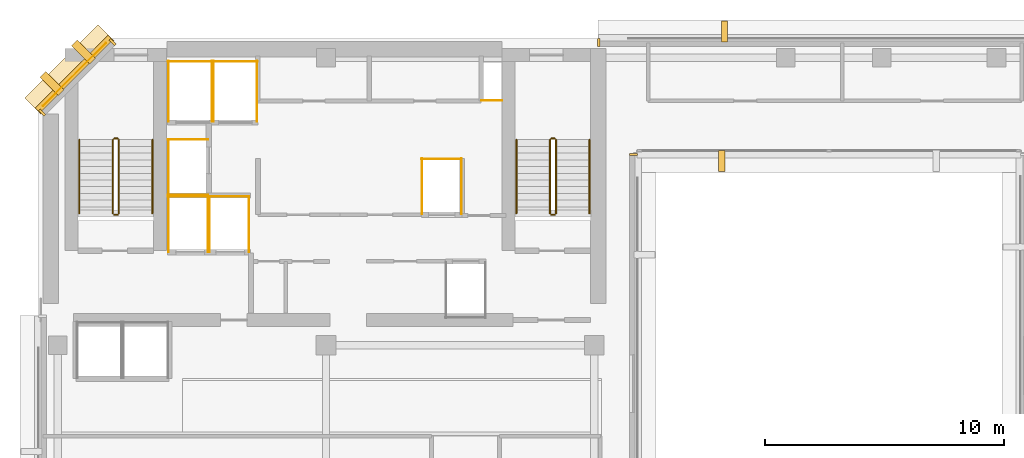
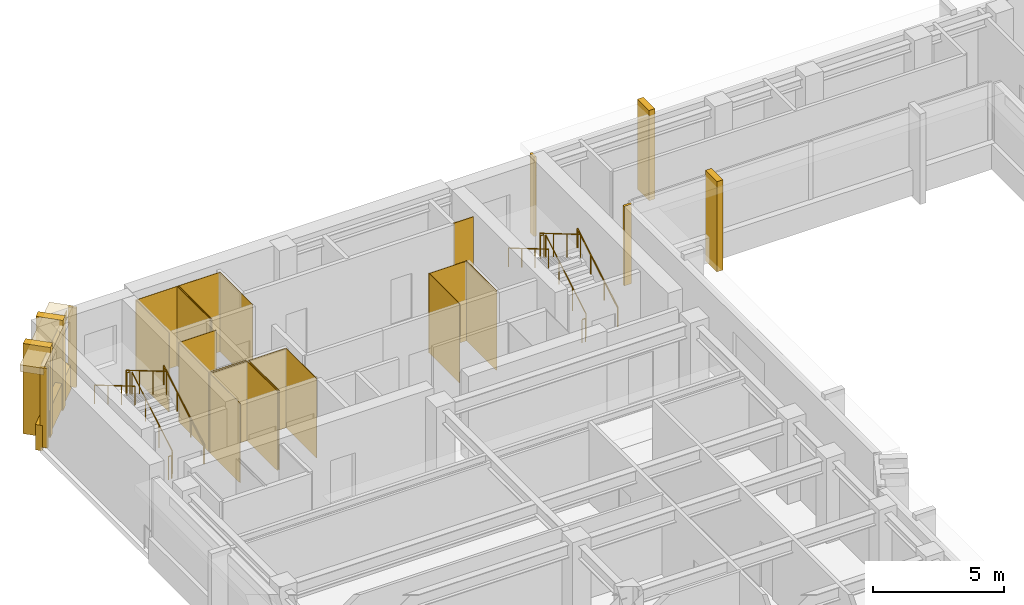
# One storey, part 10 of 11: 30 coverings, 12 railings.
"""IFC4 building model written with IfcOpenShell, lengths in metres."""

import ifcopenshell
import ifcopenshell.guid

model = None  # the IFC model being written
_history = None  # IfcOwnerHistory: only IFC2X3 demands one
_inside = {}  # id of a spatial element -> (the spatial element, [elements in it])
_under = {}  # id of a project, library or spatial element -> (it, [spatial elements below it])
_declared = {}  # id of a project -> (the project, [libraries it declares])
_typed = {}  # id of a type object -> (the type object, [elements of that type])
_made_of = {}  # id of a material, layer set ... -> (it, [elements and type objects made of it])


def new_model(schema):
    """Start an empty IFC model of exactly this schema.

    Asked for "IFC4X3", IfcOpenShell would pick the latest addendum, in which some entities
    have other attributes; the version numbers below select the first issue.
    IFC2X3 requires an IfcOwnerHistory on every rooted entity: one is made here for all.
    """
    global model, _history
    if schema == "IFC4X3":
        model = ifcopenshell.file(schema_version=(4, 3, 0, 0))
    else:
        model = ifcopenshell.file(schema=schema)
    _inside.clear()
    _under.clear()
    _declared.clear()
    _typed.clear()
    _made_of.clear()
    _history = None
    if model.schema == "IFC2X3":
        org = make("IfcOrganization", Name="unknown")
        user = make(
            "IfcPersonAndOrganization",
            ThePerson=make("IfcPerson", FamilyName="unknown"),
            TheOrganization=org,
        )
        app = make(
            "IfcApplication",
            ApplicationDeveloper=org,
            Version="unknown",
            ApplicationFullName="unknown",
            ApplicationIdentifier="unknown",
        )
        _history = make(
            "IfcOwnerHistory",
            OwningUser=user,
            OwningApplication=app,
            ChangeAction="ADDED",
            CreationDate=0,
        )
    return model


def make(cls, **values):
    """One entity of the class cls with the attributes given. An attribute that is None is left unset."""
    return model.create_entity(
        cls, **{name: value for name, value in values.items() if value is not None}
    )


def rooted(cls, **values):
    """An entity with a GlobalId (a new one), such as an element, a storey or a relation."""
    return make(cls, GlobalId=ifcopenshell.guid.new(), OwnerHistory=_history, **values)


def si_unit(unit_type, name, prefix=None):
    """IfcSIUnit, for example si_unit("LENGTHUNIT", "METRE", prefix="MILLI")."""
    return make("IfcSIUnit", UnitType=unit_type, Prefix=prefix, Name=name)


def assignment(units):
    """IfcUnitAssignment: the units of a project."""
    return None if units is None else make("IfcUnitAssignment", Units=units)


def point(xyz):
    """IfcCartesianPoint."""
    return None if xyz is None else make("IfcCartesianPoint", Coordinates=xyz)


def direction(xyz):
    """IfcDirection."""
    return None if xyz is None else make("IfcDirection", DirectionRatios=xyz)


def frame(location, z_axis=None, x_axis=None):
    """IfcAxis2Placement3D, a coordinate frame: its origin and axes. An axis left out is left unset."""
    return make(
        "IfcAxis2Placement3D",
        Location=point(location),
        Axis=direction(z_axis),
        RefDirection=direction(x_axis),
    )


def frame_2d(location, x_axis=None):
    """IfcAxis2Placement2D, a coordinate frame in the plane: its origin and x axis."""
    return make(
        "IfcAxis2Placement2D", Location=point(location), RefDirection=direction(x_axis)
    )


def origin():
    """The frame at (0, 0, 0) with its axes left unset."""
    return frame((0.0, 0.0, 0.0))


def origin_2d():
    """The frame at (0, 0) in the plane with its x axis left unset."""
    return frame_2d((0.0, 0.0))


def place(relative_to, where):
    """IfcLocalPlacement: puts the frame where relative to a parent placement (None: the world)."""
    return make(
        "IfcLocalPlacement", PlacementRelTo=relative_to, RelativePlacement=where
    )


def context(
    kind, dimensions, precision=None, world=None, true_north=None, identifier=None
):
    """IfcGeometricRepresentationContext, for example the 3D "Model" context."""
    return make(
        "IfcGeometricRepresentationContext",
        ContextIdentifier=identifier,
        ContextType=kind,
        CoordinateSpaceDimension=dimensions,
        Precision=precision,
        WorldCoordinateSystem=world,
        TrueNorth=true_north,
    )


def subcontext(parent, identifier, kind, view, scale=None):
    """IfcGeometricRepresentationSubContext, for example "Body" below "Model"."""
    return make(
        "IfcGeometricRepresentationSubContext",
        ContextIdentifier=identifier,
        ContextType=kind,
        ParentContext=parent,
        TargetScale=scale,
        TargetView=view,
    )


def project(units=None, contexts=None):
    """IfcProject with its units and contexts."""
    return rooted(
        "IfcProject",
        Name="project",
        RepresentationContexts=contexts,
        UnitsInContext=assignment(units),
    )


def spatial(cls, under=None, at=None, **own):
    """A site, building, storey or space (cls), placed at a placement, below another one or the project."""
    s = rooted(cls, ObjectPlacement=at, **own)
    if under is not None:
        _under.setdefault(under.id(), (under, []))[1].append(s)
    return s


def polyline(points):
    """IfcPolyline through the points."""
    return make("IfcPolyline", Points=[point(p) for p in points])


def profile(cls, at=None, kind="AREA", **sizes):
    """A parametric profile (cls). Its sizes go by their IFC names, for example OverallWidth=200.0."""
    return make(cls, ProfileType=kind, Position=at, **sizes)


def rectangle(**sizes):
    """IfcRectangleProfileDef."""
    return profile("IfcRectangleProfileDef", **sizes)


def circle(**sizes):
    """IfcCircleProfileDef."""
    return profile("IfcCircleProfileDef", **sizes)


def outline(outer, holes=None, kind="AREA"):
    """IfcArbitraryClosedProfileDef: a profile drawn as a closed curve; with holes, ...WithVoids."""
    if holes is None:
        return make("IfcArbitraryClosedProfileDef", ProfileType=kind, OuterCurve=outer)
    return make(
        "IfcArbitraryProfileDefWithVoids",
        ProfileType=kind,
        OuterCurve=outer,
        InnerCurves=holes,
    )


def extrude(swept, where, along, depth):
    """IfcExtrudedAreaSolid: the profile swept, set in the frame where, extruded along a direction by depth."""
    return make(
        "IfcExtrudedAreaSolid",
        SweptArea=swept,
        Position=where,
        ExtrudedDirection=direction(along),
        Depth=depth,
    )


def shape(context_of_items, identifier, shape_type, items):
    """IfcShapeRepresentation: the items that make up one representation, for example the "Body"."""
    return make(
        "IfcShapeRepresentation",
        ContextOfItems=context_of_items,
        RepresentationIdentifier=identifier,
        RepresentationType=shape_type,
        Items=items,
    )


def material(Name=None, Category=None):
    """IfcMaterial."""
    return make("IfcMaterial", Name=Name, Category=Category)


def layer(
    of_material, thickness, ventilated=None, Name=None, Category=None, Priority=None
):
    """IfcMaterialLayer: one layer of a wall or slab, of a material (None: an air gap)."""
    return make(
        "IfcMaterialLayer",
        Material=of_material,
        LayerThickness=thickness,
        IsVentilated=ventilated,
        Name=Name,
        Category=Category,
        Priority=Priority,
    )


def layer_set(layers, Name=None):
    """IfcMaterialLayerSet."""
    return make("IfcMaterialLayerSet", MaterialLayers=layers, LayerSetName=Name)


def made_of(thing, what):
    """Note that an element or type object is made of a material, layer set ...; save() writes the relation."""
    if what is not None:
        _made_of.setdefault(what.id(), (what, []))[1].append(thing)
    return thing


def type_object(cls, material=None, **own):
    """A type object (cls), such as IfcWallType, which elements share."""
    return made_of(rooted(cls, **own), material)


def element(
    cls,
    number,
    at=None,
    inside=None,
    cuts=None,
    type_object=None,
    material=None,
    context=None,
    identifier="Body",
    shape_type=None,
    held_by="IfcProductDefinitionShape",
    body=None,
    shapes=None,
    **own,
):
    """One element of the class cls, such as IfcWall. Its Tag is "e" and its number.

    at: its placement. inside: the storey or other place that contains it. cuts: it is an
    opening in that element (IfcRelVoidsElement). A single representation is given by context,
    identifier, shape_type and body (its items); several are given by shapes. held_by: the class
    of the entity that holds the representations. save() writes the other relations.
    """
    e = rooted(cls, Tag="e%d" % number, ObjectPlacement=at, **own)
    if body is not None:
        shapes = [shape(context, identifier, shape_type, body)]
    if shapes is not None:
        e.Representation = make(held_by, Representations=shapes)
    if inside is not None:
        _inside.setdefault(inside.id(), (inside, []))[1].append(e)
    if cuts is not None:
        rooted(
            "IfcRelVoidsElement", RelatingBuildingElement=cuts, RelatedOpeningElement=e
        )
    if type_object is not None:
        _typed.setdefault(type_object.id(), (type_object, []))[1].append(e)
    return made_of(e, material)


def aggregate(whole, parts):
    """IfcRelAggregates: a whole, such as a stair, and the parts it consists of."""
    return rooted("IfcRelAggregates", RelatingObject=whole, RelatedObjects=parts)


def save(model, path):
    """Write the relations noted so far, then the file.

    IfcRelAggregates (storeys below a building ...), IfcRelContainedInSpatialStructure (elements
    in a storey), IfcRelDefinesByType, IfcRelAssociatesMaterial and IfcRelDeclares: one each for
    every whole, place, type object, material and project.
    """
    for whole, parts in _under.values():
        aggregate(whole, parts)
    for where, things in _inside.values():
        rooted(
            "IfcRelContainedInSpatialStructure",
            RelatedElements=things,
            RelatingStructure=where,
        )
    for kind, things in _typed.values():
        rooted("IfcRelDefinesByType", RelatedObjects=things, RelatingType=kind)
    for what, things in _made_of.values():
        rooted("IfcRelAssociatesMaterial", RelatedObjects=things, RelatingMaterial=what)
    for by, libraries in _declared.values():
        rooted("IfcRelDeclares", RelatingContext=by, RelatedDefinitions=libraries)
    model.write(path)


model = new_model("IFC4")

# Units and contexts
model_context = context("Model", 3, precision=1e-05, world=origin(), true_north=direction((0.0, 1.0)))
body_context = subcontext(model_context, "Body", "Model", "MODEL_VIEW")
ifc_project = project(units=[si_unit("LENGTHUNIT", "METRE"), si_unit("AREAUNIT", "SQUARE_METRE"), si_unit("VOLUMEUNIT", "CUBIC_METRE"), si_unit("PLANEANGLEUNIT", "RADIAN"), si_unit("MASSUNIT", "GRAM", prefix="KILO")], contexts=[model_context])

# Site, building, storey
site_placement = place(None, origin())
site = spatial("IfcSite", under=ifc_project, at=site_placement, CompositionType="ELEMENT")
building_placement = place(site_placement, origin())
building = spatial("IfcBuilding", under=site, at=building_placement, Name="Kefirva Bronze Tower", CompositionType="ELEMENT")
storey_placement = place(building_placement, frame((0.0, 0.0, 223.739990234375)))
storey = spatial("IfcBuildingStorey", under=building, at=storey_placement, Name="L54", CompositionType="ELEMENT", Elevation=223.739990234375)

# Coverings
ifc_material_1 = material(Name="Bronze anodised aluminium", Category="aluminium")
ifc_layer_1 = layer(ifc_material_1, 0.02001953125, Name="Bronze anodised aluminium")
ifc_layer_set_1 = layer_set([ifc_layer_1], Name="Bronze anodised aluminium")
covering_type_1 = type_object("IfcCoveringType", Name="Anodised Bronze Spandrel Cladding 20mm", PredefinedType="CLADDING", material=ifc_layer_set_1)
for number, where, z_axis, x_axis, name in (
    (1, (24.840087890625, 41.1650390625, 0.0), (0.0, 0.0, 1.0), (0.0, 1.0, 0.0), "L54 Facade Joint Closure Panel 4E"),
    (2, (23.385009765625, 45.840087890625, 0.0), (0.0, 0.0, 1.0), (-1.0, 0.0, 0.0), "L54 Facade Joint Closure Panel 11E"),
):
    element("IfcCovering", number, at=place(storey_placement, frame(where, z_axis=z_axis, x_axis=x_axis)), inside=storey, type_object=covering_type_1, Name=name, PredefinedType="CLADDING", context=body_context, shape_type="SweptSolid", body=[
        extrude(rectangle(XDim=0.10009765625, YDim=0.320068359375, at=origin_2d()), origin(), (0.0, 0.0, 1.0), 3.7099609375),
    ])
covering_1_placement = place(storey_placement, frame((1.492919921875, 44.507080078125, 3.2900390625), z_axis=(0.0, 0.0, 1.0), x_axis=(-0.707106781187, -0.707106781187, 0.0)))
element("IfcCovering", 3, at=covering_1_placement, inside=storey, type_object=covering_type_1, Name="L54 Bronze Spandrel Cladding 12", PredefinedType="CLADDING", context=body_context, shape_type="SweptSolid", body=[
    extrude(rectangle(XDim=3.719482421875, YDim=0.02001953125, at=origin_2d()), origin(), (0.0, 0.0, 1.0), 0.39990234375),
])
for number, where, z_axis, x_axis, name in (
    (4, (3.08837890625, 45.862060546875, 0.0), (0.0, 0.0, 1.0), (-0.707106781187, -0.707106781187, 0.0), "L54 Facade Joint Closure Panel 12S"),
    (5, (0.137939453125, 42.91162109375, 0.0), (0.0, 0.0, 1.0), (-0.707106781187, -0.707106781187, 0.0), "L54 Facade Joint Closure Panel 12E"),
):
    element("IfcCovering", number, at=place(storey_placement, frame(where, z_axis=z_axis, x_axis=x_axis)), inside=storey, type_object=covering_type_1, Name=name, PredefinedType="CLADDING", context=body_context, shape_type="SweptSolid", body=[
        extrude(rectangle(XDim=0.10009765625, YDim=0.320068359375, at=origin_2d()), origin(), (0.0, 0.0, 1.0), 3.7099609375),
    ])
covering_2_placement = place(storey_placement, frame((1.4716796875, 44.5283203125, -0.16015625), z_axis=(0.0, 0.0, 1.0), x_axis=(-0.707106781187, -0.707106781187, 0.0)))
element("IfcCovering", 6, at=covering_2_placement, inside=storey, type_object=covering_type_1, Name="L54 Streamline Horizontal Spandrel Band 14", PredefinedType="CLADDING", context=body_context, shape_type="SweptSolid", body=[
    extrude(rectangle(XDim=4.28271484375, YDim=0.280029296875, at=origin_2d()), origin(), (0.0, 0.0, 1.0), 1.179931640625),
])
covering_3_placement = place(storey_placement, origin())
element("IfcCovering", 7, at=covering_3_placement, inside=storey, type_object=covering_type_1, Name="L54 Lift FF1 Hoistway Liner N", PredefinedType="CLADDING", context=body_context, shape_type="SweptSolid", body=[
    extrude(outline(polyline([(5.39990234375, 39.389892578125), (7.080078125, 39.389892578125), (7.080078125, 39.409912109375), (5.39990234375, 39.409912109375), (5.39990234375, 39.389892578125)])), origin(), (0.0, 0.0, 1.0), 3.7099609375),
])
covering_4_placement = place(storey_placement, origin())
element("IfcCovering", 8, at=covering_4_placement, inside=storey, type_object=covering_type_1, Name="L54 Lift FF1 Hoistway Liner W", PredefinedType="CLADDING", context=body_context, shape_type="SweptSolid", body=[
    extrude(outline(polyline([(5.409912109375, 37.080078125), (5.429931640625, 37.080078125), (5.429931640625, 39.419921875), (5.409912109375, 39.419921875), (5.409912109375, 37.080078125)])), origin(), (0.0, 0.0, 1.0), 3.7099609375),
])
covering_5_placement = place(storey_placement, origin())
element("IfcCovering", 9, at=covering_5_placement, inside=storey, type_object=covering_type_1, Name="L54 Lift FF1 Hoistway Liner E", PredefinedType="CLADDING", context=body_context, shape_type="SweptSolid", body=[
    extrude(outline(polyline([(7.050048828125, 37.080078125), (7.070068359375, 37.080078125), (7.070068359375, 39.419921875), (7.050048828125, 39.419921875), (7.050048828125, 37.080078125)])), origin(), (0.0, 0.0, 1.0), 3.7099609375),
])
covering_6_placement = place(storey_placement, origin())
element("IfcCovering", 10, at=covering_6_placement, inside=storey, type_object=covering_type_1, Name="L54 Lift FF2 Hoistway Liner N", PredefinedType="CLADDING", context=body_context, shape_type="SweptSolid", body=[
    extrude(outline(polyline([(7.1201171875, 39.389892578125), (8.800048828125, 39.389892578125), (8.800048828125, 39.409912109375), (7.1201171875, 39.409912109375), (7.1201171875, 39.389892578125)])), origin(), (0.0, 0.0, 1.0), 3.7099609375),
])
covering_7_placement = place(storey_placement, origin())
element("IfcCovering", 11, at=covering_7_placement, inside=storey, type_object=covering_type_1, Name="L54 Lift FF2 Hoistway Liner W", PredefinedType="CLADDING", context=body_context, shape_type="SweptSolid", body=[
    extrude(outline(polyline([(7.1298828125, 37.080078125), (7.14990234375, 37.080078125), (7.14990234375, 39.419921875), (7.1298828125, 39.419921875), (7.1298828125, 37.080078125)])), origin(), (0.0, 0.0, 1.0), 3.7099609375),
])
covering_8_placement = place(storey_placement, origin())
element("IfcCovering", 12, at=covering_8_placement, inside=storey, type_object=covering_type_1, Name="L54 Lift FF2 Hoistway Liner E", PredefinedType="CLADDING", context=body_context, shape_type="SweptSolid", body=[
    extrude(outline(polyline([(8.77001953125, 37.080078125), (8.7900390625, 37.080078125), (8.7900390625, 39.419921875), (8.77001953125, 39.419921875), (8.77001953125, 37.080078125)])), origin(), (0.0, 0.0, 1.0), 3.7099609375),
])
covering_9_placement = place(storey_placement, origin())
element("IfcCovering", 13, at=covering_9_placement, inside=storey, type_object=covering_type_1, Name="L54 Lift SV1 Hoistway Liner N", PredefinedType="CLADDING", context=body_context, shape_type="SweptSolid", body=[
    extrude(outline(polyline([(5.39990234375, 45.0400390625), (7.260009765625, 45.0400390625), (7.260009765625, 45.06005859375), (5.39990234375, 45.06005859375), (5.39990234375, 45.0400390625)])), origin(), (0.0, 0.0, 1.0), 3.7099609375),
])
covering_10_placement = place(storey_placement, origin())
element("IfcCovering", 14, at=covering_10_placement, inside=storey, type_object=covering_type_1, Name="L54 Lift SV1 Hoistway Liner W", PredefinedType="CLADDING", context=body_context, shape_type="SweptSolid", body=[
    extrude(outline(polyline([(5.409912109375, 42.530029296875), (5.429931640625, 42.530029296875), (5.429931640625, 45.070068359375), (5.409912109375, 45.070068359375), (5.409912109375, 42.530029296875)])), origin(), (0.0, 0.0, 1.0), 3.7099609375),
])
covering_11_placement = place(storey_placement, origin())
element("IfcCovering", 15, at=covering_11_placement, inside=storey, type_object=covering_type_1, Name="L54 Lift SV1 Hoistway Liner E", PredefinedType="CLADDING", context=body_context, shape_type="SweptSolid", body=[
    extrude(outline(polyline([(7.22998046875, 42.530029296875), (7.25, 42.530029296875), (7.25, 45.070068359375), (7.22998046875, 45.070068359375), (7.22998046875, 42.530029296875)])), origin(), (0.0, 0.0, 1.0), 3.7099609375),
])
covering_12_placement = place(storey_placement, origin())
element("IfcCovering", 16, at=covering_12_placement, inside=storey, type_object=covering_type_1, Name="L54 Lift SV2 Hoistway Liner N", PredefinedType="CLADDING", context=body_context, shape_type="SweptSolid", body=[
    extrude(outline(polyline([(7.280029296875, 45.0400390625), (9.139892578125, 45.0400390625), (9.139892578125, 45.06005859375), (7.280029296875, 45.06005859375), (7.280029296875, 45.0400390625)])), origin(), (0.0, 0.0, 1.0), 3.7099609375),
])
covering_13_placement = place(storey_placement, origin())
element("IfcCovering", 17, at=covering_13_placement, inside=storey, type_object=covering_type_1, Name="L54 Lift SV2 Hoistway Liner W", PredefinedType="CLADDING", context=body_context, shape_type="SweptSolid", body=[
    extrude(outline(polyline([(7.2900390625, 42.530029296875), (7.31005859375, 42.530029296875), (7.31005859375, 45.070068359375), (7.2900390625, 45.070068359375), (7.2900390625, 42.530029296875)])), origin(), (0.0, 0.0, 1.0), 3.7099609375),
])
covering_14_placement = place(storey_placement, origin())
element("IfcCovering", 18, at=covering_14_placement, inside=storey, type_object=covering_type_1, Name="L54 Lift SV2 Hoistway Liner E", PredefinedType="CLADDING", context=body_context, shape_type="SweptSolid", body=[
    extrude(outline(polyline([(9.110107421875, 42.530029296875), (9.1298828125, 42.530029296875), (9.1298828125, 45.070068359375), (9.110107421875, 45.070068359375), (9.110107421875, 42.530029296875)])), origin(), (0.0, 0.0, 1.0), 3.7099609375),
])
covering_15_placement = place(storey_placement, origin())
element("IfcCovering", 19, at=covering_15_placement, inside=storey, type_object=covering_type_1, Name="L54 Lift HP2 Hoistway Liner N", PredefinedType="CLADDING", context=body_context, shape_type="SweptSolid", body=[
    extrude(outline(polyline([(15.97998046875, 40.969970703125), (17.669921875, 40.969970703125), (17.669921875, 40.989990234375), (15.97998046875, 40.989990234375), (15.97998046875, 40.969970703125)])), origin(), (0.0, 0.0, 1.0), 3.7099609375),
])
covering_16_placement = place(storey_placement, origin())
element("IfcCovering", 20, at=covering_16_placement, inside=storey, type_object=covering_type_1, Name="L54 Lift HP2 Hoistway Liner W", PredefinedType="CLADDING", context=body_context, shape_type="SweptSolid", body=[
    extrude(outline(polyline([(15.989990234375, 38.659912109375), (16.010009765625, 38.659912109375), (16.010009765625, 41.0), (15.989990234375, 41.0), (15.989990234375, 38.659912109375)])), origin(), (0.0, 0.0, 1.0), 3.7099609375),
])
covering_17_placement = place(storey_placement, origin())
element("IfcCovering", 21, at=covering_17_placement, inside=storey, type_object=covering_type_1, Name="L54 Lift HP2 Hoistway Liner E", PredefinedType="CLADDING", context=body_context, shape_type="SweptSolid", body=[
    extrude(outline(polyline([(17.639892578125, 38.659912109375), (17.659912109375, 38.659912109375), (17.659912109375, 41.0), (17.639892578125, 41.0), (17.639892578125, 38.659912109375)])), origin(), (0.0, 0.0, 1.0), 3.7099609375),
])
covering_18_placement = place(storey_placement, origin())
element("IfcCovering", 22, at=covering_18_placement, inside=storey, type_object=covering_type_1, Name="L54 Lift HP3 Hoistway Liner N", PredefinedType="CLADDING", context=body_context, shape_type="SweptSolid", body=[
    extrude(outline(polyline([(5.39990234375, 41.77001953125), (7.080078125, 41.77001953125), (7.080078125, 41.7900390625), (5.39990234375, 41.7900390625), (5.39990234375, 41.77001953125)])), origin(), (0.0, 0.0, 1.0), 3.7099609375),
])
covering_19_placement = place(storey_placement, origin())
element("IfcCovering", 23, at=covering_19_placement, inside=storey, type_object=covering_type_1, Name="L54 Lift HP3 Hoistway Liner S", PredefinedType="CLADDING", context=body_context, shape_type="SweptSolid", body=[
    extrude(outline(polyline([(5.39990234375, 39.469970703125), (7.080078125, 39.469970703125), (7.080078125, 39.489990234375), (5.39990234375, 39.489990234375), (5.39990234375, 39.469970703125)])), origin(), (0.0, 0.0, 1.0), 3.7099609375),
])
covering_20_placement = place(storey_placement, origin())
element("IfcCovering", 24, at=covering_20_placement, inside=storey, type_object=covering_type_1, Name="L54 Lift HP3 Hoistway Liner W", PredefinedType="CLADDING", context=body_context, shape_type="SweptSolid", body=[
    extrude(outline(polyline([(5.409912109375, 39.4599609375), (5.429931640625, 39.4599609375), (5.429931640625, 41.800048828125), (5.409912109375, 41.800048828125), (5.409912109375, 39.4599609375)])), origin(), (0.0, 0.0, 1.0), 3.7099609375),
])
covering_21_placement = place(storey_placement, origin())
element("IfcCovering", 25, at=covering_21_placement, inside=storey, type_object=covering_type_1, Name="L54 Core MEP Riser Shaft Liner South", PredefinedType="CLADDING", context=body_context, shape_type="SweptSolid", body=[
    extrude(outline(polyline([(18.47998046875, 43.39990234375), (19.360107421875, 43.39990234375), (19.360107421875, 43.429931640625), (18.47998046875, 43.429931640625), (18.47998046875, 43.39990234375)])), origin(), (0.0, 0.0, 1.0), 3.7099609375),
])

# Railings
ifc_material_2 = material(Name="Stainless steel 316", Category="steel")
railing_type_1 = type_object("IfcRailingType", Name="Interior Stair Guardrail 1100mm", PredefinedType="GUARDRAIL", material=ifc_material_2)
railing_1_placement = place(storey_placement, frame((3.35009765625, 38.699951171875, 0.1650390625)))
element("IfcRailing", 26, at=railing_1_placement, inside=storey, type_object=railing_type_1, Name="L54 ST-1 stair guard 1", PredefinedType="GUARDRAIL", context=body_context, shape_type="SweptSolid", body=[
    extrude(circle(Radius=0.02392578125, at=origin_2d()), frame((0.0, 0.0, 1.076171875), z_axis=(0.0, 0.861551262678, 0.507670583921), x_axis=(-1.0, 0.0, 0.0)), (0.0, 0.0, 1.0), 3.574951171875),
    extrude(circle(Radius=0.02099609375, at=origin_2d()), origin(), (0.0, 0.0, 1.0), 1.052001953125),
    extrude(circle(Radius=0.02099609375, at=origin_2d()), frame((0.0, 1.026611328125, 0.60498046875)), (0.0, 0.0, 1.0), 1.052001953125),
    extrude(circle(Radius=0.02099609375, at=origin_2d()), frame((0.0, 2.053466796875, 1.2099609375)), (0.0, 0.0, 1.0), 1.052001953125),
    extrude(circle(Radius=0.02099609375, at=origin_2d()), frame((0.0, 3.080078125, 1.81494140625)), (0.0, 0.0, 1.0), 1.052001953125),
])
railing_2_placement = place(storey_placement, frame((3.300048828125, 41.830078125, 1.97998046875)))
element("IfcRailing", 27, at=railing_2_placement, inside=storey, type_object=railing_type_1, Name="L54 ST-1 stair guard 2", PredefinedType="GUARDRAIL", context=body_context, shape_type="SweptSolid", body=[
    extrude(circle(Radius=0.02392578125, at=origin_2d()), frame((0.0, 0.0, 1.076171875), z_axis=(-1.0, 0.0, 0.0), x_axis=(0.0, -1.0, 0.0)), (0.0, 0.0, 1.0), 0.150146484375),
    extrude(circle(Radius=0.02099609375, at=origin_2d()), origin(), (0.0, 0.0, 1.0), 1.052001953125),
    extrude(circle(Radius=0.02099609375, at=origin_2d()), frame((-0.150146484375, 0.0, 0.0)), (0.0, 0.0, 1.0), 1.052001953125),
])
railing_3_placement = place(storey_placement, frame((3.10009765625, 41.780029296875, 2.14501953125)))
element("IfcRailing", 28, at=railing_3_placement, inside=storey, type_object=railing_type_1, Name="L54 ST-1 stair guard 3", PredefinedType="GUARDRAIL", context=body_context, shape_type="SweptSolid", body=[
    extrude(circle(Radius=0.02392578125, at=origin_2d()), frame((0.0, 0.0, 1.076171875), z_axis=(0.0, -0.861551262678, 0.507670583921), x_axis=(1.0, 0.0, 0.0)), (0.0, 0.0, 1.0), 3.574951171875),
    extrude(circle(Radius=0.02099609375, at=origin_2d()), origin(), (0.0, 0.0, 1.0), 1.052001953125),
    extrude(circle(Radius=0.02099609375, at=origin_2d()), frame((0.0, -1.026611328125, 0.60498046875)), (0.0, 0.0, 1.0), 1.052001953125),
    extrude(circle(Radius=0.02099609375, at=origin_2d()), frame((0.0, -2.053466796875, 1.2099609375)), (0.0, 0.0, 1.0), 1.052001953125),
    extrude(circle(Radius=0.02099609375, at=origin_2d()), frame((0.0, -3.080078125, 1.81494140625)), (0.0, 0.0, 1.0), 1.052001953125),
])
railing_4_placement = place(storey_placement, frame((3.300048828125, 38.64990234375, 0.0)))
element("IfcRailing", 29, at=railing_4_placement, inside=storey, type_object=railing_type_1, Name="L54 ST-1 stair guard 4", PredefinedType="GUARDRAIL", context=body_context, shape_type="SweptSolid", body=[
    extrude(circle(Radius=0.02392578125, at=origin_2d()), frame((0.0, 0.0, 1.076171875), z_axis=(-1.0, 0.0, 0.0), x_axis=(0.0, -1.0, 0.0)), (0.0, 0.0, 1.0), 0.150146484375),
    extrude(circle(Radius=0.02099609375, at=origin_2d()), origin(), (0.0, 0.0, 1.0), 1.052001953125),
    extrude(circle(Radius=0.02099609375, at=origin_2d()), frame((-0.150146484375, 0.0, 0.0)), (0.0, 0.0, 1.0), 1.052001953125),
])
railing_5_placement = place(storey_placement, frame((21.60009765625, 38.699951171875, 0.1650390625)))
element("IfcRailing", 30, at=railing_5_placement, inside=storey, type_object=railing_type_1, Name="L54 ST-2 stair guard 1", PredefinedType="GUARDRAIL", context=body_context, shape_type="SweptSolid", body=[
    extrude(circle(Radius=0.02392578125, at=origin_2d()), frame((0.0, 0.0, 1.076171875), z_axis=(0.0, 0.861551262678, 0.507670583921), x_axis=(-1.0, 0.0, 0.0)), (0.0, 0.0, 1.0), 3.574951171875),
    extrude(circle(Radius=0.02099609375, at=origin_2d()), origin(), (0.0, 0.0, 1.0), 1.052001953125),
    extrude(circle(Radius=0.02099609375, at=origin_2d()), frame((0.0, 1.026611328125, 0.60498046875)), (0.0, 0.0, 1.0), 1.052001953125),
    extrude(circle(Radius=0.02099609375, at=origin_2d()), frame((0.0, 2.053466796875, 1.2099609375)), (0.0, 0.0, 1.0), 1.052001953125),
    extrude(circle(Radius=0.02099609375, at=origin_2d()), frame((0.0, 3.080078125, 1.81494140625)), (0.0, 0.0, 1.0), 1.052001953125),
])
railing_6_placement = place(storey_placement, frame((21.550048828125, 41.830078125, 1.97998046875)))
element("IfcRailing", 31, at=railing_6_placement, inside=storey, type_object=railing_type_1, Name="L54 ST-2 stair guard 2", PredefinedType="GUARDRAIL", context=body_context, shape_type="SweptSolid", body=[
    extrude(circle(Radius=0.02392578125, at=origin_2d()), frame((0.0, 0.0, 1.076171875), z_axis=(-1.0, 0.0, 0.0), x_axis=(0.0, -1.0, 0.0)), (0.0, 0.0, 1.0), 0.150146484375),
    extrude(circle(Radius=0.02099609375, at=origin_2d()), origin(), (0.0, 0.0, 1.0), 1.052001953125),
    extrude(circle(Radius=0.02099609375, at=origin_2d()), frame((-0.150146484375, 0.0, 0.0)), (0.0, 0.0, 1.0), 1.052001953125),
])
railing_7_placement = place(storey_placement, frame((21.35009765625, 41.780029296875, 2.14501953125)))
element("IfcRailing", 32, at=railing_7_placement, inside=storey, type_object=railing_type_1, Name="L54 ST-2 stair guard 3", PredefinedType="GUARDRAIL", context=body_context, shape_type="SweptSolid", body=[
    extrude(circle(Radius=0.02392578125, at=origin_2d()), frame((0.0, 0.0, 1.076171875), z_axis=(0.0, -0.861551262678, 0.507670583921), x_axis=(1.0, 0.0, 0.0)), (0.0, 0.0, 1.0), 3.574951171875),
    extrude(circle(Radius=0.02099609375, at=origin_2d()), origin(), (0.0, 0.0, 1.0), 1.052001953125),
    extrude(circle(Radius=0.02099609375, at=origin_2d()), frame((0.0, -1.026611328125, 0.60498046875)), (0.0, 0.0, 1.0), 1.052001953125),
    extrude(circle(Radius=0.02099609375, at=origin_2d()), frame((0.0, -2.053466796875, 1.2099609375)), (0.0, 0.0, 1.0), 1.052001953125),
    extrude(circle(Radius=0.02099609375, at=origin_2d()), frame((0.0, -3.080078125, 1.81494140625)), (0.0, 0.0, 1.0), 1.052001953125),
])
railing_8_placement = place(storey_placement, frame((21.550048828125, 38.64990234375, 0.0)))
element("IfcRailing", 33, at=railing_8_placement, inside=storey, type_object=railing_type_1, Name="L54 ST-2 stair guard 4", PredefinedType="GUARDRAIL", context=body_context, shape_type="SweptSolid", body=[
    extrude(circle(Radius=0.02392578125, at=origin_2d()), frame((0.0, 0.0, 1.076171875), z_axis=(-1.0, 0.0, 0.0), x_axis=(0.0, -1.0, 0.0)), (0.0, 0.0, 1.0), 0.150146484375),
    extrude(circle(Radius=0.02099609375, at=origin_2d()), origin(), (0.0, 0.0, 1.0), 1.052001953125),
    extrude(circle(Radius=0.02099609375, at=origin_2d()), frame((-0.150146484375, 0.0, 0.0)), (0.0, 0.0, 1.0), 1.052001953125),
])
railing_type_2 = type_object("IfcRailingType", Name="Stair Pitch Handrail 900mm", PredefinedType="HANDRAIL", material=ifc_material_2)
railing_9_placement = place(storey_placement, frame((4.75, 38.699951171875, 0.1650390625)))
element("IfcRailing", 34, at=railing_9_placement, inside=storey, type_object=railing_type_2, Name="L54 ST-1 stair handrail 1", PredefinedType="HANDRAIL", context=body_context, shape_type="SweptSolid", body=[
    extrude(circle(Radius=0.02392578125, at=origin_2d()), frame((0.0, 0.0, 0.8759765625), z_axis=(0.0, 0.861551262678, 0.507670583921), x_axis=(-1.0, 0.0, 0.0)), (0.0, 0.0, 1.0), 3.574951171875),
    extrude(circle(Radius=0.02099609375, at=origin_2d()), origin(), (0.0, 0.0, 1.0), 0.851806640625),
    extrude(circle(Radius=0.02099609375, at=origin_2d()), frame((0.0, 1.026611328125, 0.60498046875)), (0.0, 0.0, 1.0), 0.851806640625),
    extrude(circle(Radius=0.02099609375, at=origin_2d()), frame((0.0, 2.053466796875, 1.2099609375)), (0.0, 0.0, 1.0), 0.851806640625),
    extrude(circle(Radius=0.02099609375, at=origin_2d()), frame((0.0, 3.080078125, 1.81494140625)), (0.0, 0.0, 1.0), 0.851806640625),
])
railing_10_placement = place(storey_placement, frame((1.699951171875, 41.780029296875, 2.14501953125)))
element("IfcRailing", 35, at=railing_10_placement, inside=storey, type_object=railing_type_2, Name="L54 ST-1 stair handrail 2", PredefinedType="HANDRAIL", context=body_context, shape_type="SweptSolid", body=[
    extrude(circle(Radius=0.02392578125, at=origin_2d()), frame((0.0, 0.0, 0.8759765625), z_axis=(0.0, -0.861551262678, 0.507670583921), x_axis=(1.0, 0.0, 0.0)), (0.0, 0.0, 1.0), 3.574951171875),
    extrude(circle(Radius=0.02099609375, at=origin_2d()), origin(), (0.0, 0.0, 1.0), 0.851806640625),
    extrude(circle(Radius=0.02099609375, at=origin_2d()), frame((0.0, -1.026611328125, 0.60498046875)), (0.0, 0.0, 1.0), 0.851806640625),
    extrude(circle(Radius=0.02099609375, at=origin_2d()), frame((0.0, -2.053466796875, 1.2099609375)), (0.0, 0.0, 1.0), 0.851806640625),
    extrude(circle(Radius=0.02099609375, at=origin_2d()), frame((0.0, -3.080078125, 1.81494140625)), (0.0, 0.0, 1.0), 0.851806640625),
])
railing_11_placement = place(storey_placement, frame((23.0, 38.699951171875, 0.1650390625)))
element("IfcRailing", 36, at=railing_11_placement, inside=storey, type_object=railing_type_2, Name="L54 ST-2 stair handrail 1", PredefinedType="HANDRAIL", context=body_context, shape_type="SweptSolid", body=[
    extrude(circle(Radius=0.02392578125, at=origin_2d()), frame((0.0, 0.0, 0.8759765625), z_axis=(0.0, 0.861551262678, 0.507670583921), x_axis=(-1.0, 0.0, 0.0)), (0.0, 0.0, 1.0), 3.574951171875),
    extrude(circle(Radius=0.02099609375, at=origin_2d()), origin(), (0.0, 0.0, 1.0), 0.851806640625),
    extrude(circle(Radius=0.02099609375, at=origin_2d()), frame((0.0, 1.026611328125, 0.60498046875)), (0.0, 0.0, 1.0), 0.851806640625),
    extrude(circle(Radius=0.02099609375, at=origin_2d()), frame((0.0, 2.053466796875, 1.2099609375)), (0.0, 0.0, 1.0), 0.851806640625),
    extrude(circle(Radius=0.02099609375, at=origin_2d()), frame((0.0, 3.080078125, 1.81494140625)), (0.0, 0.0, 1.0), 0.851806640625),
])
railing_12_placement = place(storey_placement, frame((19.949951171875, 41.780029296875, 2.14501953125)))
element("IfcRailing", 37, at=railing_12_placement, inside=storey, type_object=railing_type_2, Name="L54 ST-2 stair handrail 2", PredefinedType="HANDRAIL", context=body_context, shape_type="SweptSolid", body=[
    extrude(circle(Radius=0.02392578125, at=origin_2d()), frame((0.0, 0.0, 0.8759765625), z_axis=(0.0, -0.861551262678, 0.507670583921), x_axis=(1.0, 0.0, 0.0)), (0.0, 0.0, 1.0), 3.574951171875),
    extrude(circle(Radius=0.02099609375, at=origin_2d()), origin(), (0.0, 0.0, 1.0), 0.851806640625),
    extrude(circle(Radius=0.02099609375, at=origin_2d()), frame((0.0, -1.026611328125, 0.60498046875)), (0.0, 0.0, 1.0), 0.851806640625),
    extrude(circle(Radius=0.02099609375, at=origin_2d()), frame((0.0, -2.053466796875, 1.2099609375)), (0.0, 0.0, 1.0), 0.851806640625),
    extrude(circle(Radius=0.02099609375, at=origin_2d()), frame((0.0, -3.080078125, 1.81494140625)), (0.0, 0.0, 1.0), 0.851806640625),
])

# Coverings
ifc_layer_2 = layer(ifc_material_1, 0.179931640625, Name="Bronze anodised aluminium")
ifc_layer_set_2 = layer_set([ifc_layer_2], Name="Bronze anodised aluminium")
covering_type_2 = type_object("IfcCoveringType", Name="Streamline Bronze Sunshade Eyebrow Cladding 180mm", PredefinedType="CLADDING", material=ifc_layer_set_2)
covering_22_placement = place(storey_placement, frame((1.28076171875, 44.71923828125, 3.39013671875), z_axis=(0.0, 0.0, 1.0), x_axis=(-0.707106781187, -0.707106781187, 0.0)))
element("IfcCovering", 38, at=covering_22_placement, inside=storey, type_object=covering_type_2, Name="L54 Streamline Bronze Sunshade Eyebrow 14", PredefinedType="CLADDING", context=body_context, shape_type="SweptSolid", body=[
    extrude(rectangle(XDim=4.322509765625, YDim=0.93994140625, at=origin_2d()), origin(), (0.0, 0.0, 1.0), 0.320068359375),
])
ifc_layer_3 = layer(ifc_material_1, 0.260009765625, Name="Bronze anodised aluminium")
ifc_layer_set_3 = layer_set([ifc_layer_3], Name="Bronze anodised aluminium")
covering_type_3 = type_object("IfcCoveringType", Name="Unbroken Bronze Buttress Fin Cladding 260mm", PredefinedType="CLADDING", material=ifc_layer_set_3)
for number, where, z_axis, x_axis, name in (
    (39, (28.52001953125, 40.89990234375, -0.25), (0.0, 0.0, 1.0), (1.0, 0.0, 0.0), "L54 Unbroken Vertical Bronze Rib Fin 11"),
    (40, (28.639892578125, 46.300048828125, -0.25), (0.0, 0.0, 1.0), (-1.0, 0.0, 0.0), "L54 Unbroken Vertical Bronze Rib Fin 24"),
):
    element("IfcCovering", number, at=place(storey_placement, frame(where, z_axis=z_axis, x_axis=x_axis)), inside=storey, type_object=covering_type_3, Name=name, PredefinedType="CLADDING", context=body_context, shape_type="SweptSolid", body=[
        extrude(rectangle(XDim=0.260009765625, YDim=0.8798828125, at=origin_2d()), origin(), (0.0, 0.0, 1.0), 4.2099609375),
    ])
for number, where, z_axis, x_axis, name in (
    (41, (1.877197265625, 45.44287109375, -0.25), (0.0, 0.0, 1.0), (-0.707106781187, -0.707106781187, 0.0), "L54 Chamfered Corner Buttress Fin Cladding 25"),
    (42, (0.55712890625, 44.122802734375, -0.25), (0.0, 0.0, 1.0), (-0.707106781187, -0.707106781187, 0.0), "L54 Chamfered Corner Buttress Fin Cladding 26"),
):
    element("IfcCovering", number, at=place(storey_placement, frame(where, z_axis=z_axis, x_axis=x_axis)), inside=storey, type_object=covering_type_3, Name=name, PredefinedType="CLADDING", context=body_context, shape_type="SweptSolid", body=[
        extrude(rectangle(XDim=0.340087890625, YDim=1.080078125, at=origin_2d()), origin(), (0.0, 0.0, 1.0), 4.2099609375),
    ])

save(model, "model.ifc")
